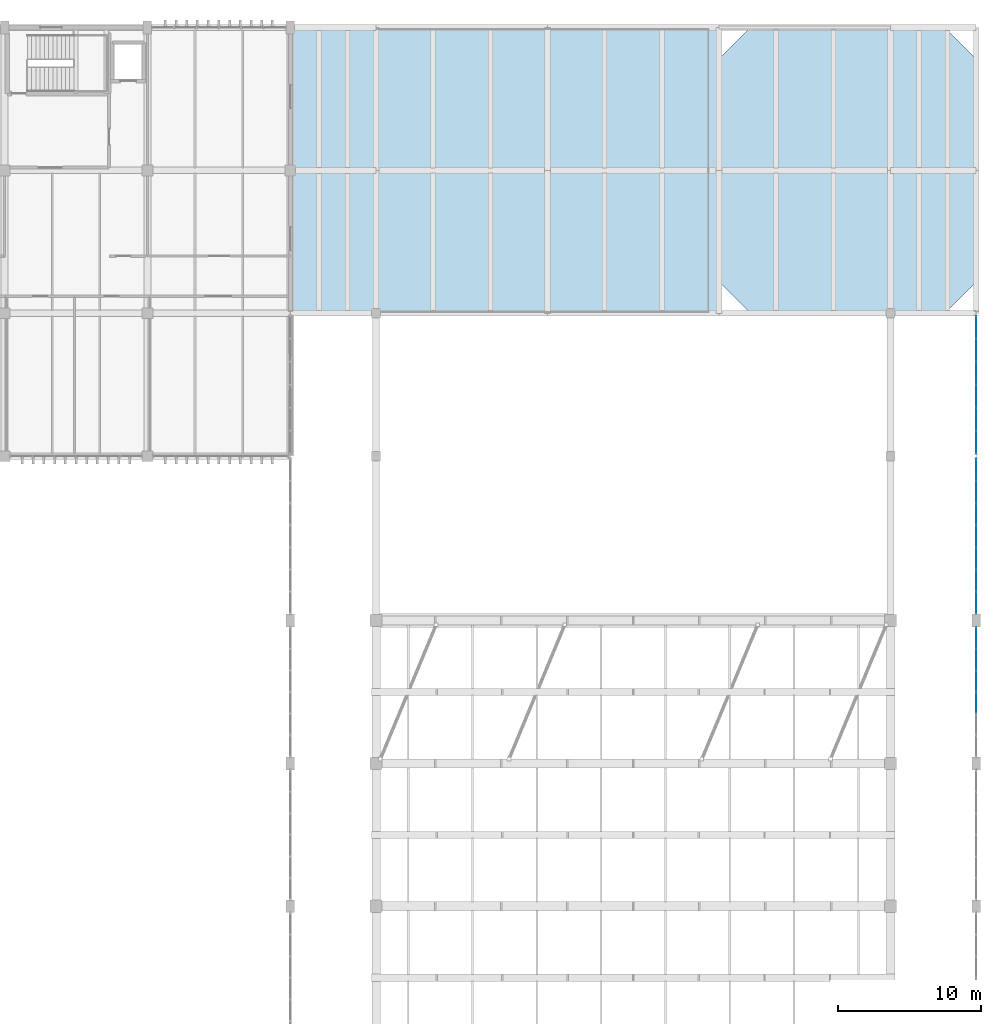
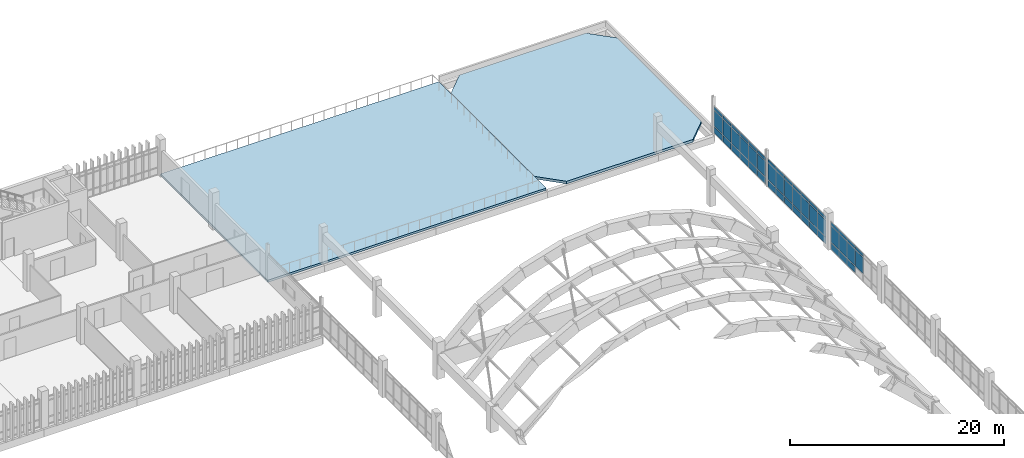
# One storey, part 100 of 111: 50 plates, 2 slabs, 3 elements without a shape of their own.
"""IFC4 building model written with IfcOpenShell, lengths in metres."""

from ifc_helpers import new_model, si_unit, direction, frame, origin, origin_2d, place, context, subcontext, project, spatial, polyline, rectangle, outline, extrude, material, layer, layer_set, type_object, element, aggregate, save


model = new_model("IFC4")

# Units and contexts
model_context = context("Model", 3, precision=1e-05, world=origin(), true_north=direction((0.0, 1.0)))
body_context = subcontext(model_context, "Body", "Model", "MODEL_VIEW")
ifc_project = project(units=[si_unit("LENGTHUNIT", "METRE"), si_unit("AREAUNIT", "SQUARE_METRE"), si_unit("VOLUMEUNIT", "CUBIC_METRE"), si_unit("PLANEANGLEUNIT", "RADIAN"), si_unit("MASSUNIT", "GRAM", prefix="KILO")], contexts=[model_context])

# Site, building, storey
site_placement = place(None, origin())
site = spatial("IfcSite", under=ifc_project, at=site_placement, CompositionType="ELEMENT")
building_placement = place(site_placement, origin())
building = spatial("IfcBuilding", under=site, at=building_placement, Name="Mersad Railyard Sports Hall", CompositionType="ELEMENT")
storey_placement = place(building_placement, frame((0.0, 0.0, 9.0)))
storey = spatial("IfcBuildingStorey", under=building, at=storey_placement, Name="L02", CompositionType="ELEMENT", Elevation=9.0)

# Curtain wall, plates
ifc_material_1 = material(Name="Aluminium 6063-T6", Category="aluminium")
ifc_layer_1 = layer(ifc_material_1, 0.159912109375)
ifc_layer_set_1 = layer_set([ifc_layer_1], Name="Aluminium 6063-T6")
curtain_wall_type_1 = type_object("IfcCurtainWallType", Name="ARC-CW-CW17", PredefinedType="USERDEFINED", material=ifc_layer_set_1)
curtain_wall_1_placement = place(storey_placement, origin())
curtain_wall_1 = element("IfcCurtainWall", 1, at=curtain_wall_1_placement, inside=storey, type_object=curtain_wall_type_1, Name="Curtain wall CW17-0057", ObjectType="CURTAIN WALL", PredefinedType="USERDEFINED")
ifc_material_2 = material(Name="Solar-control glass", Category="glass")
ifc_layer_2 = layer(ifc_material_2, 0.028076171875)
ifc_layer_set_2 = layer_set([ifc_layer_2], Name="Solar-control glass")
plate_type = type_object("IfcPlateType", Name="ARC-CW-PNL01", PredefinedType="CURTAIN_PANEL", material=ifc_layer_set_2)
plate_1_placement = place(storey_placement, frame((179.0, 72.27490234375, 0.0849609375), z_axis=(0.0, 0.0, 1.0), x_axis=(0.0, -1.0, 0.0)))
plate_1 = element("IfcPlate", 2, at=plate_1_placement, type_object=plate_type, Name="CW17 Glazed panel 1-1", PredefinedType="CURTAIN_PANEL", context=body_context, shape_type="SweptSolid", body=[
    extrude(rectangle(XDim=1.466064453125, YDim=0.028076171875, at=origin_2d()), origin(), (0.0, 0.0, 1.0), 0.719970703125),
])
plate_2_placement = place(storey_placement, frame((179.0, 72.27490234375, 0.89501953125), z_axis=(0.0, 0.0, 1.0), x_axis=(0.0, -1.0, 0.0)))
plate_2 = element("IfcPlate", 3, at=plate_2_placement, type_object=plate_type, Name="CW17 Glazed panel 1-2", PredefinedType="CURTAIN_PANEL", context=body_context, shape_type="SweptSolid", body=[
    extrude(rectangle(XDim=1.466064453125, YDim=0.028076171875, at=origin_2d()), origin(), (0.0, 0.0, 1.0), 1.840087890625),
])
plate_3_placement = place(storey_placement, frame((179.0, 72.27490234375, 2.824951171875), z_axis=(0.0, 0.0, 1.0), x_axis=(0.0, -1.0, 0.0)))
plate_3 = element("IfcPlate", 4, at=plate_3_placement, type_object=plate_type, Name="CW17 Glazed panel 1-3", PredefinedType="CURTAIN_PANEL", context=body_context, shape_type="SweptSolid", body=[
    extrude(rectangle(XDim=1.466064453125, YDim=0.028076171875, at=origin_2d()), origin(), (0.0, 0.0, 1.0), 0.35009765625),
])
plate_4_placement = place(storey_placement, frame((179.0, 70.764892578125, 0.0849609375), z_axis=(0.0, 0.0, 1.0), x_axis=(0.0, -1.0, 0.0)))
plate_4 = element("IfcPlate", 5, at=plate_4_placement, type_object=plate_type, Name="CW17 Glazed panel 2-1", PredefinedType="CURTAIN_PANEL", context=body_context, shape_type="SweptSolid", body=[
    extrude(rectangle(XDim=1.466064453125, YDim=0.028076171875, at=origin_2d()), origin(), (0.0, 0.0, 1.0), 0.719970703125),
])
plate_5_placement = place(storey_placement, frame((179.0, 70.764892578125, 0.89501953125), z_axis=(0.0, 0.0, 1.0), x_axis=(0.0, -1.0, 0.0)))
plate_5 = element("IfcPlate", 6, at=plate_5_placement, type_object=plate_type, Name="CW17 Glazed panel 2-2", PredefinedType="CURTAIN_PANEL", context=body_context, shape_type="SweptSolid", body=[
    extrude(rectangle(XDim=1.466064453125, YDim=0.028076171875, at=origin_2d()), origin(), (0.0, 0.0, 1.0), 1.840087890625),
])
plate_6_placement = place(storey_placement, frame((179.0, 70.764892578125, 2.824951171875), z_axis=(0.0, 0.0, 1.0), x_axis=(0.0, -1.0, 0.0)))
plate_6 = element("IfcPlate", 7, at=plate_6_placement, type_object=plate_type, Name="CW17 Glazed panel 2-3", PredefinedType="CURTAIN_PANEL", context=body_context, shape_type="SweptSolid", body=[
    extrude(rectangle(XDim=1.466064453125, YDim=0.028076171875, at=origin_2d()), origin(), (0.0, 0.0, 1.0), 0.35009765625),
])
plate_7_placement = place(storey_placement, frame((179.0, 69.2548828125, 0.0849609375), z_axis=(0.0, 0.0, 1.0), x_axis=(0.0, -1.0, 0.0)))
plate_7 = element("IfcPlate", 8, at=plate_7_placement, type_object=plate_type, Name="CW17 Glazed panel 3-1", PredefinedType="CURTAIN_PANEL", context=body_context, shape_type="SweptSolid", body=[
    extrude(rectangle(XDim=1.466064453125, YDim=0.028076171875, at=origin_2d()), origin(), (0.0, 0.0, 1.0), 0.719970703125),
])
plate_8_placement = place(storey_placement, frame((179.0, 69.2548828125, 0.89501953125), z_axis=(0.0, 0.0, 1.0), x_axis=(0.0, -1.0, 0.0)))
plate_8 = element("IfcPlate", 9, at=plate_8_placement, type_object=plate_type, Name="CW17 Glazed panel 3-2", PredefinedType="CURTAIN_PANEL", context=body_context, shape_type="SweptSolid", body=[
    extrude(rectangle(XDim=1.466064453125, YDim=0.028076171875, at=origin_2d()), origin(), (0.0, 0.0, 1.0), 1.840087890625),
])
plate_9_placement = place(storey_placement, frame((179.0, 69.2548828125, 2.824951171875), z_axis=(0.0, 0.0, 1.0), x_axis=(0.0, -1.0, 0.0)))
plate_9 = element("IfcPlate", 10, at=plate_9_placement, type_object=plate_type, Name="CW17 Glazed panel 3-3", PredefinedType="CURTAIN_PANEL", context=body_context, shape_type="SweptSolid", body=[
    extrude(rectangle(XDim=1.466064453125, YDim=0.028076171875, at=origin_2d()), origin(), (0.0, 0.0, 1.0), 0.35009765625),
])
plate_10_placement = place(storey_placement, frame((179.0, 67.7451171875, 0.89501953125), z_axis=(0.0, 0.0, 1.0), x_axis=(0.0, -1.0, 0.0)))
plate_10 = element("IfcPlate", 11, at=plate_10_placement, type_object=plate_type, Name="CW17 Glazed panel 4-2", PredefinedType="CURTAIN_PANEL", context=body_context, shape_type="SweptSolid", body=[
    extrude(rectangle(XDim=1.466064453125, YDim=0.028076171875, at=origin_2d()), origin(), (0.0, 0.0, 1.0), 1.840087890625),
])
plate_11_placement = place(storey_placement, frame((179.0, 67.7451171875, 2.824951171875), z_axis=(0.0, 0.0, 1.0), x_axis=(0.0, -1.0, 0.0)))
plate_11 = element("IfcPlate", 12, at=plate_11_placement, type_object=plate_type, Name="CW17 Glazed panel 4-3", PredefinedType="CURTAIN_PANEL", context=body_context, shape_type="SweptSolid", body=[
    extrude(rectangle(XDim=1.466064453125, YDim=0.028076171875, at=origin_2d()), origin(), (0.0, 0.0, 1.0), 0.35009765625),
])
aggregate(curtain_wall_1, [plate_1, plate_2, plate_3, plate_4, plate_5, plate_6, plate_7, plate_8, plate_9, plate_10, plate_11])

ifc_layer_3 = layer(ifc_material_1, 0.159912109375)
ifc_layer_set_3 = layer_set([ifc_layer_3], Name="Aluminium 6063-T6")
curtain_wall_type_2 = type_object("IfcCurtainWallType", Name="ARC-CW-CW20", PredefinedType="USERDEFINED", material=ifc_layer_set_3)
curtain_wall_2_placement = place(storey_placement, origin())
curtain_wall_2 = element("IfcCurtainWall", 13, at=curtain_wall_2_placement, inside=storey, type_object=curtain_wall_type_2, Name="Curtain wall CW20-0059", ObjectType="CURTAIN WALL", PredefinedType="USERDEFINED")
plate_12_placement = place(storey_placement, frame((179.0, 84.05419921875, 0.0849609375), z_axis=(0.0, 0.0, 1.0), x_axis=(0.0, -1.0, 0.0)))
plate_12 = element("IfcPlate", 14, at=plate_12_placement, type_object=plate_type, Name="CW20 Glazed panel 1-1", PredefinedType="CURTAIN_PANEL", context=body_context, shape_type="SweptSolid", body=[
    extrude(rectangle(XDim=1.50732421875, YDim=0.028076171875, at=origin_2d()), origin(), (0.0, 0.0, 1.0), 0.719970703125),
])
plate_13_placement = place(storey_placement, frame((179.0, 84.05419921875, 0.89501953125), z_axis=(0.0, 0.0, 1.0), x_axis=(0.0, -1.0, 0.0)))
plate_13 = element("IfcPlate", 15, at=plate_13_placement, type_object=plate_type, Name="CW20 Glazed panel 1-2", PredefinedType="CURTAIN_PANEL", context=body_context, shape_type="SweptSolid", body=[
    extrude(rectangle(XDim=1.50732421875, YDim=0.028076171875, at=origin_2d()), origin(), (0.0, 0.0, 1.0), 1.8798828125),
])
plate_14_placement = place(storey_placement, frame((179.0, 84.05419921875, 2.864990234375), z_axis=(0.0, 0.0, 1.0), x_axis=(0.0, -1.0, 0.0)))
plate_14 = element("IfcPlate", 16, at=plate_14_placement, type_object=plate_type, Name="CW20 Glazed panel 1-3", PredefinedType="CURTAIN_PANEL", context=body_context, shape_type="SweptSolid", body=[
    extrude(rectangle(XDim=1.50732421875, YDim=0.028076171875, at=origin_2d()), origin(), (0.0, 0.0, 1.0), 0.35009765625),
])
plate_15_placement = place(storey_placement, frame((179.0, 82.5029296875, 0.0849609375), z_axis=(0.0, 0.0, 1.0), x_axis=(0.0, -1.0, 0.0)))
plate_15 = element("IfcPlate", 17, at=plate_15_placement, type_object=plate_type, Name="CW20 Glazed panel 2-1", PredefinedType="CURTAIN_PANEL", context=body_context, shape_type="SweptSolid", body=[
    extrude(rectangle(XDim=1.50732421875, YDim=0.028076171875, at=origin_2d()), origin(), (0.0, 0.0, 1.0), 0.719970703125),
])
plate_16_placement = place(storey_placement, frame((179.0, 82.5029296875, 0.89501953125), z_axis=(0.0, 0.0, 1.0), x_axis=(0.0, -1.0, 0.0)))
plate_16 = element("IfcPlate", 18, at=plate_16_placement, type_object=plate_type, Name="CW20 Glazed panel 2-2", PredefinedType="CURTAIN_PANEL", context=body_context, shape_type="SweptSolid", body=[
    extrude(rectangle(XDim=1.50732421875, YDim=0.028076171875, at=origin_2d()), origin(), (0.0, 0.0, 1.0), 1.8798828125),
])
plate_17_placement = place(storey_placement, frame((179.0, 82.5029296875, 2.864990234375), z_axis=(0.0, 0.0, 1.0), x_axis=(0.0, -1.0, 0.0)))
plate_17 = element("IfcPlate", 19, at=plate_17_placement, type_object=plate_type, Name="CW20 Glazed panel 2-3", PredefinedType="CURTAIN_PANEL", context=body_context, shape_type="SweptSolid", body=[
    extrude(rectangle(XDim=1.50732421875, YDim=0.028076171875, at=origin_2d()), origin(), (0.0, 0.0, 1.0), 0.35009765625),
])
plate_18_placement = place(storey_placement, frame((179.0, 80.951416015625, 0.0849609375), z_axis=(0.0, 0.0, 1.0), x_axis=(0.0, -1.0, 0.0)))
plate_18 = element("IfcPlate", 20, at=plate_18_placement, type_object=plate_type, Name="CW20 Glazed panel 3-1", PredefinedType="CURTAIN_PANEL", context=body_context, shape_type="SweptSolid", body=[
    extrude(rectangle(XDim=1.50732421875, YDim=0.028076171875, at=origin_2d()), origin(), (0.0, 0.0, 1.0), 0.719970703125),
])
plate_19_placement = place(storey_placement, frame((179.0, 80.951416015625, 0.89501953125), z_axis=(0.0, 0.0, 1.0), x_axis=(0.0, -1.0, 0.0)))
plate_19 = element("IfcPlate", 21, at=plate_19_placement, type_object=plate_type, Name="CW20 Glazed panel 3-2", PredefinedType="CURTAIN_PANEL", context=body_context, shape_type="SweptSolid", body=[
    extrude(rectangle(XDim=1.50732421875, YDim=0.028076171875, at=origin_2d()), origin(), (0.0, 0.0, 1.0), 1.8798828125),
])
plate_20_placement = place(storey_placement, frame((179.0, 80.951416015625, 2.864990234375), z_axis=(0.0, 0.0, 1.0), x_axis=(0.0, -1.0, 0.0)))
plate_20 = element("IfcPlate", 22, at=plate_20_placement, type_object=plate_type, Name="CW20 Glazed panel 3-3", PredefinedType="CURTAIN_PANEL", context=body_context, shape_type="SweptSolid", body=[
    extrude(rectangle(XDim=1.50732421875, YDim=0.028076171875, at=origin_2d()), origin(), (0.0, 0.0, 1.0), 0.35009765625),
])
plate_21_placement = place(storey_placement, frame((179.0, 79.39990234375, 0.0849609375), z_axis=(0.0, 0.0, 1.0), x_axis=(0.0, -1.0, 0.0)))
plate_21 = element("IfcPlate", 23, at=plate_21_placement, type_object=plate_type, Name="CW20 Glazed panel 4-1", PredefinedType="CURTAIN_PANEL", context=body_context, shape_type="SweptSolid", body=[
    extrude(rectangle(XDim=1.50732421875, YDim=0.028076171875, at=origin_2d()), origin(), (0.0, 0.0, 1.0), 0.719970703125),
])
plate_22_placement = place(storey_placement, frame((179.0, 79.39990234375, 0.89501953125), z_axis=(0.0, 0.0, 1.0), x_axis=(0.0, -1.0, 0.0)))
plate_22 = element("IfcPlate", 24, at=plate_22_placement, type_object=plate_type, Name="CW20 Glazed panel 4-2", PredefinedType="CURTAIN_PANEL", context=body_context, shape_type="SweptSolid", body=[
    extrude(rectangle(XDim=1.50732421875, YDim=0.028076171875, at=origin_2d()), origin(), (0.0, 0.0, 1.0), 1.8798828125),
])
plate_23_placement = place(storey_placement, frame((179.0, 79.39990234375, 2.864990234375), z_axis=(0.0, 0.0, 1.0), x_axis=(0.0, -1.0, 0.0)))
plate_23 = element("IfcPlate", 25, at=plate_23_placement, type_object=plate_type, Name="CW20 Glazed panel 4-3", PredefinedType="CURTAIN_PANEL", context=body_context, shape_type="SweptSolid", body=[
    extrude(rectangle(XDim=1.50732421875, YDim=0.028076171875, at=origin_2d()), origin(), (0.0, 0.0, 1.0), 0.35009765625),
])
plate_24_placement = place(storey_placement, frame((179.0, 77.8486328125, 0.0849609375), z_axis=(0.0, 0.0, 1.0), x_axis=(0.0, -1.0, 0.0)))
plate_24 = element("IfcPlate", 26, at=plate_24_placement, type_object=plate_type, Name="CW20 Glazed panel 5-1", PredefinedType="CURTAIN_PANEL", context=body_context, shape_type="SweptSolid", body=[
    extrude(rectangle(XDim=1.50732421875, YDim=0.028076171875, at=origin_2d()), origin(), (0.0, 0.0, 1.0), 0.719970703125),
])
plate_25_placement = place(storey_placement, frame((179.0, 77.8486328125, 0.89501953125), z_axis=(0.0, 0.0, 1.0), x_axis=(0.0, -1.0, 0.0)))
plate_25 = element("IfcPlate", 27, at=plate_25_placement, type_object=plate_type, Name="CW20 Glazed panel 5-2", PredefinedType="CURTAIN_PANEL", context=body_context, shape_type="SweptSolid", body=[
    extrude(rectangle(XDim=1.50732421875, YDim=0.028076171875, at=origin_2d()), origin(), (0.0, 0.0, 1.0), 1.8798828125),
])
plate_26_placement = place(storey_placement, frame((179.0, 77.8486328125, 2.864990234375), z_axis=(0.0, 0.0, 1.0), x_axis=(0.0, -1.0, 0.0)))
plate_26 = element("IfcPlate", 28, at=plate_26_placement, type_object=plate_type, Name="CW20 Glazed panel 5-3", PredefinedType="CURTAIN_PANEL", context=body_context, shape_type="SweptSolid", body=[
    extrude(rectangle(XDim=1.50732421875, YDim=0.028076171875, at=origin_2d()), origin(), (0.0, 0.0, 1.0), 0.35009765625),
])
plate_27_placement = place(storey_placement, frame((179.0, 76.297119140625, 0.0849609375), z_axis=(0.0, 0.0, 1.0), x_axis=(0.0, -1.0, 0.0)))
plate_27 = element("IfcPlate", 29, at=plate_27_placement, type_object=plate_type, Name="CW20 Glazed panel 6-1", PredefinedType="CURTAIN_PANEL", context=body_context, shape_type="SweptSolid", body=[
    extrude(rectangle(XDim=1.50732421875, YDim=0.028076171875, at=origin_2d()), origin(), (0.0, 0.0, 1.0), 0.719970703125),
])
plate_28_placement = place(storey_placement, frame((179.0, 76.297119140625, 0.89501953125), z_axis=(0.0, 0.0, 1.0), x_axis=(0.0, -1.0, 0.0)))
plate_28 = element("IfcPlate", 30, at=plate_28_placement, type_object=plate_type, Name="CW20 Glazed panel 6-2", PredefinedType="CURTAIN_PANEL", context=body_context, shape_type="SweptSolid", body=[
    extrude(rectangle(XDim=1.50732421875, YDim=0.028076171875, at=origin_2d()), origin(), (0.0, 0.0, 1.0), 1.8798828125),
])
plate_29_placement = place(storey_placement, frame((179.0, 76.297119140625, 2.864990234375), z_axis=(0.0, 0.0, 1.0), x_axis=(0.0, -1.0, 0.0)))
plate_29 = element("IfcPlate", 31, at=plate_29_placement, type_object=plate_type, Name="CW20 Glazed panel 6-3", PredefinedType="CURTAIN_PANEL", context=body_context, shape_type="SweptSolid", body=[
    extrude(rectangle(XDim=1.50732421875, YDim=0.028076171875, at=origin_2d()), origin(), (0.0, 0.0, 1.0), 0.35009765625),
])
plate_30_placement = place(storey_placement, frame((179.0, 74.74560546875, 0.0849609375), z_axis=(0.0, 0.0, 1.0), x_axis=(0.0, -1.0, 0.0)))
plate_30 = element("IfcPlate", 32, at=plate_30_placement, type_object=plate_type, Name="CW20 Glazed panel 7-1", PredefinedType="CURTAIN_PANEL", context=body_context, shape_type="SweptSolid", body=[
    extrude(rectangle(XDim=1.50732421875, YDim=0.028076171875, at=origin_2d()), origin(), (0.0, 0.0, 1.0), 0.719970703125),
])
plate_31_placement = place(storey_placement, frame((179.0, 74.74560546875, 0.89501953125), z_axis=(0.0, 0.0, 1.0), x_axis=(0.0, -1.0, 0.0)))
plate_31 = element("IfcPlate", 33, at=plate_31_placement, type_object=plate_type, Name="CW20 Glazed panel 7-2", PredefinedType="CURTAIN_PANEL", context=body_context, shape_type="SweptSolid", body=[
    extrude(rectangle(XDim=1.50732421875, YDim=0.028076171875, at=origin_2d()), origin(), (0.0, 0.0, 1.0), 1.8798828125),
])
plate_32_placement = place(storey_placement, frame((179.0, 74.74560546875, 2.864990234375), z_axis=(0.0, 0.0, 1.0), x_axis=(0.0, -1.0, 0.0)))
plate_32 = element("IfcPlate", 34, at=plate_32_placement, type_object=plate_type, Name="CW20 Glazed panel 7-3", PredefinedType="CURTAIN_PANEL", context=body_context, shape_type="SweptSolid", body=[
    extrude(rectangle(XDim=1.50732421875, YDim=0.028076171875, at=origin_2d()), origin(), (0.0, 0.0, 1.0), 0.35009765625),
])
aggregate(curtain_wall_2, [plate_12, plate_13, plate_14, plate_15, plate_16, plate_17, plate_18, plate_19, plate_20, plate_21, plate_22, plate_23, plate_24, plate_25, plate_26, plate_27, plate_28, plate_29, plate_30, plate_31, plate_32])

ifc_layer_4 = layer(ifc_material_1, 0.159912109375)
ifc_layer_set_4 = layer_set([ifc_layer_4], Name="Aluminium 6063-T6")
curtain_wall_type_3 = type_object("IfcCurtainWallType", Name="ARC-CW-CW23", PredefinedType="USERDEFINED", material=ifc_layer_set_4)
curtain_wall_3_placement = place(storey_placement, origin())
curtain_wall_3 = element("IfcCurtainWall", 35, at=curtain_wall_3_placement, inside=storey, type_object=curtain_wall_type_3, Name="Curtain wall CW23-0062", ObjectType="CURTAIN WALL", PredefinedType="USERDEFINED")
plate_33_placement = place(storey_placement, frame((179.0, 94.02490234375, 0.0849609375), z_axis=(0.0, 0.0, 1.0), x_axis=(0.0, -1.0, 0.0)))
plate_33 = element("IfcPlate", 36, at=plate_33_placement, type_object=plate_type, Name="CW23 Glazed panel 1-1", PredefinedType="CURTAIN_PANEL", context=body_context, shape_type="SweptSolid", body=[
    extrude(rectangle(XDim=1.56591796875, YDim=0.028076171875, at=origin_2d()), origin(), (0.0, 0.0, 1.0), 0.719970703125),
])
plate_34_placement = place(storey_placement, frame((179.0, 94.02490234375, 0.89501953125), z_axis=(0.0, 0.0, 1.0), x_axis=(0.0, -1.0, 0.0)))
plate_34 = element("IfcPlate", 37, at=plate_34_placement, type_object=plate_type, Name="CW23 Glazed panel 1-2", PredefinedType="CURTAIN_PANEL", context=body_context, shape_type="SweptSolid", body=[
    extrude(rectangle(XDim=1.56591796875, YDim=0.028076171875, at=origin_2d()), origin(), (0.0, 0.0, 1.0), 1.760009765625),
])
plate_35_placement = place(storey_placement, frame((179.0, 94.02490234375, 2.744873046875), z_axis=(0.0, 0.0, 1.0), x_axis=(0.0, -1.0, 0.0)))
plate_35 = element("IfcPlate", 38, at=plate_35_placement, type_object=plate_type, Name="CW23 Glazed panel 1-3", PredefinedType="CURTAIN_PANEL", context=body_context, shape_type="SweptSolid", body=[
    extrude(rectangle(XDim=1.56591796875, YDim=0.028076171875, at=origin_2d()), origin(), (0.0, 0.0, 1.0), 0.35009765625),
])
plate_36_placement = place(storey_placement, frame((179.0, 92.4150390625, 0.0849609375), z_axis=(0.0, 0.0, 1.0), x_axis=(0.0, -1.0, 0.0)))
plate_36 = element("IfcPlate", 39, at=plate_36_placement, type_object=plate_type, Name="CW23 Glazed panel 2-1", PredefinedType="CURTAIN_PANEL", context=body_context, shape_type="SweptSolid", body=[
    extrude(rectangle(XDim=1.56591796875, YDim=0.028076171875, at=origin_2d()), origin(), (0.0, 0.0, 1.0), 0.719970703125),
])
plate_37_placement = place(storey_placement, frame((179.0, 92.4150390625, 0.89501953125), z_axis=(0.0, 0.0, 1.0), x_axis=(0.0, -1.0, 0.0)))
plate_37 = element("IfcPlate", 40, at=plate_37_placement, type_object=plate_type, Name="CW23 Glazed panel 2-2", PredefinedType="CURTAIN_PANEL", context=body_context, shape_type="SweptSolid", body=[
    extrude(rectangle(XDim=1.56591796875, YDim=0.028076171875, at=origin_2d()), origin(), (0.0, 0.0, 1.0), 1.760009765625),
])
plate_38_placement = place(storey_placement, frame((179.0, 92.4150390625, 2.744873046875), z_axis=(0.0, 0.0, 1.0), x_axis=(0.0, -1.0, 0.0)))
plate_38 = element("IfcPlate", 41, at=plate_38_placement, type_object=plate_type, Name="CW23 Glazed panel 2-3", PredefinedType="CURTAIN_PANEL", context=body_context, shape_type="SweptSolid", body=[
    extrude(rectangle(XDim=1.56591796875, YDim=0.028076171875, at=origin_2d()), origin(), (0.0, 0.0, 1.0), 0.35009765625),
])
plate_39_placement = place(storey_placement, frame((179.0, 90.804931640625, 0.0849609375), z_axis=(0.0, 0.0, 1.0), x_axis=(0.0, -1.0, 0.0)))
plate_39 = element("IfcPlate", 42, at=plate_39_placement, type_object=plate_type, Name="CW23 Glazed panel 3-1", PredefinedType="CURTAIN_PANEL", context=body_context, shape_type="SweptSolid", body=[
    extrude(rectangle(XDim=1.56591796875, YDim=0.028076171875, at=origin_2d()), origin(), (0.0, 0.0, 1.0), 0.719970703125),
])
plate_40_placement = place(storey_placement, frame((179.0, 90.804931640625, 0.89501953125), z_axis=(0.0, 0.0, 1.0), x_axis=(0.0, -1.0, 0.0)))
plate_40 = element("IfcPlate", 43, at=plate_40_placement, type_object=plate_type, Name="CW23 Glazed panel 3-2", PredefinedType="CURTAIN_PANEL", context=body_context, shape_type="SweptSolid", body=[
    extrude(rectangle(XDim=1.56591796875, YDim=0.028076171875, at=origin_2d()), origin(), (0.0, 0.0, 1.0), 1.760009765625),
])
plate_41_placement = place(storey_placement, frame((179.0, 90.804931640625, 2.744873046875), z_axis=(0.0, 0.0, 1.0), x_axis=(0.0, -1.0, 0.0)))
plate_41 = element("IfcPlate", 44, at=plate_41_placement, type_object=plate_type, Name="CW23 Glazed panel 3-3", PredefinedType="CURTAIN_PANEL", context=body_context, shape_type="SweptSolid", body=[
    extrude(rectangle(XDim=1.56591796875, YDim=0.028076171875, at=origin_2d()), origin(), (0.0, 0.0, 1.0), 0.35009765625),
])
plate_42_placement = place(storey_placement, frame((179.0, 89.195068359375, 0.0849609375), z_axis=(0.0, 0.0, 1.0), x_axis=(0.0, -1.0, 0.0)))
plate_42 = element("IfcPlate", 45, at=plate_42_placement, type_object=plate_type, Name="CW23 Glazed panel 4-1", PredefinedType="CURTAIN_PANEL", context=body_context, shape_type="SweptSolid", body=[
    extrude(rectangle(XDim=1.56591796875, YDim=0.028076171875, at=origin_2d()), origin(), (0.0, 0.0, 1.0), 0.719970703125),
])
plate_43_placement = place(storey_placement, frame((179.0, 89.195068359375, 0.89501953125), z_axis=(0.0, 0.0, 1.0), x_axis=(0.0, -1.0, 0.0)))
plate_43 = element("IfcPlate", 46, at=plate_43_placement, type_object=plate_type, Name="CW23 Glazed panel 4-2", PredefinedType="CURTAIN_PANEL", context=body_context, shape_type="SweptSolid", body=[
    extrude(rectangle(XDim=1.56591796875, YDim=0.028076171875, at=origin_2d()), origin(), (0.0, 0.0, 1.0), 1.760009765625),
])
plate_44_placement = place(storey_placement, frame((179.0, 89.195068359375, 2.744873046875), z_axis=(0.0, 0.0, 1.0), x_axis=(0.0, -1.0, 0.0)))
plate_44 = element("IfcPlate", 47, at=plate_44_placement, type_object=plate_type, Name="CW23 Glazed panel 4-3", PredefinedType="CURTAIN_PANEL", context=body_context, shape_type="SweptSolid", body=[
    extrude(rectangle(XDim=1.56591796875, YDim=0.028076171875, at=origin_2d()), origin(), (0.0, 0.0, 1.0), 0.35009765625),
])
plate_45_placement = place(storey_placement, frame((179.0, 87.5849609375, 0.0849609375), z_axis=(0.0, 0.0, 1.0), x_axis=(0.0, -1.0, 0.0)))
plate_45 = element("IfcPlate", 48, at=plate_45_placement, type_object=plate_type, Name="CW23 Glazed panel 5-1", PredefinedType="CURTAIN_PANEL", context=body_context, shape_type="SweptSolid", body=[
    extrude(rectangle(XDim=1.56591796875, YDim=0.028076171875, at=origin_2d()), origin(), (0.0, 0.0, 1.0), 0.719970703125),
])
plate_46_placement = place(storey_placement, frame((179.0, 87.5849609375, 0.89501953125), z_axis=(0.0, 0.0, 1.0), x_axis=(0.0, -1.0, 0.0)))
plate_46 = element("IfcPlate", 49, at=plate_46_placement, type_object=plate_type, Name="CW23 Glazed panel 5-2", PredefinedType="CURTAIN_PANEL", context=body_context, shape_type="SweptSolid", body=[
    extrude(rectangle(XDim=1.56591796875, YDim=0.028076171875, at=origin_2d()), origin(), (0.0, 0.0, 1.0), 1.760009765625),
])
plate_47_placement = place(storey_placement, frame((179.0, 87.5849609375, 2.744873046875), z_axis=(0.0, 0.0, 1.0), x_axis=(0.0, -1.0, 0.0)))
plate_47 = element("IfcPlate", 50, at=plate_47_placement, type_object=plate_type, Name="CW23 Glazed panel 5-3", PredefinedType="CURTAIN_PANEL", context=body_context, shape_type="SweptSolid", body=[
    extrude(rectangle(XDim=1.56591796875, YDim=0.028076171875, at=origin_2d()), origin(), (0.0, 0.0, 1.0), 0.35009765625),
])
plate_48_placement = place(storey_placement, frame((179.0, 85.97509765625, 0.0849609375), z_axis=(0.0, 0.0, 1.0), x_axis=(0.0, -1.0, 0.0)))
plate_48 = element("IfcPlate", 51, at=plate_48_placement, type_object=plate_type, Name="CW23 Glazed panel 6-1", PredefinedType="CURTAIN_PANEL", context=body_context, shape_type="SweptSolid", body=[
    extrude(rectangle(XDim=1.56591796875, YDim=0.028076171875, at=origin_2d()), origin(), (0.0, 0.0, 1.0), 0.719970703125),
])
plate_49_placement = place(storey_placement, frame((179.0, 85.97509765625, 0.89501953125), z_axis=(0.0, 0.0, 1.0), x_axis=(0.0, -1.0, 0.0)))
plate_49 = element("IfcPlate", 52, at=plate_49_placement, type_object=plate_type, Name="CW23 Glazed panel 6-2", PredefinedType="CURTAIN_PANEL", context=body_context, shape_type="SweptSolid", body=[
    extrude(rectangle(XDim=1.56591796875, YDim=0.028076171875, at=origin_2d()), origin(), (0.0, 0.0, 1.0), 1.760009765625),
])
plate_50_placement = place(storey_placement, frame((179.0, 85.97509765625, 2.744873046875), z_axis=(0.0, 0.0, 1.0), x_axis=(0.0, -1.0, 0.0)))
plate_50 = element("IfcPlate", 53, at=plate_50_placement, type_object=plate_type, Name="CW23 Glazed panel 6-3", PredefinedType="CURTAIN_PANEL", context=body_context, shape_type="SweptSolid", body=[
    extrude(rectangle(XDim=1.56591796875, YDim=0.028076171875, at=origin_2d()), origin(), (0.0, 0.0, 1.0), 0.35009765625),
])
aggregate(curtain_wall_3, [plate_33, plate_34, plate_35, plate_36, plate_37, plate_38, plate_39, plate_40, plate_41, plate_42, plate_43, plate_44, plate_45, plate_46, plate_47, plate_48, plate_49, plate_50])

# Slabs
ifc_material_3 = material(Name="Architectural concrete C40/50", Category="concrete")
ifc_layer_5 = layer(ifc_material_3, 0.2900390625)
ifc_layer_set_5 = layer_set([ifc_layer_5], Name="Architectural concrete C40/50")
slab_type_1 = type_object("IfcSlabType", Name="STR-SL-RF03", PredefinedType="ROOF", material=ifc_layer_set_5)
slab_1_placement = place(storey_placement, frame((0.0, 0.0, -0.2900390625)))
element("IfcSlab", 54, at=slab_1_placement, inside=storey, type_object=slab_type_1, Name="Slab RS03-0094", PredefinedType="ROOF", context=body_context, shape_type="SweptSolid", body=[
    extrude(outline(polyline([(163.199951171875, 95.0), (176.800048828125, 95.0), (179.0, 97.199951171875), (179.0, 112.800048828125), (176.800048828125, 115.0), (163.199951171875, 115.0), (161.0, 112.800048828125), (161.0, 97.199951171875), (163.199951171875, 95.0)])), origin(), (0.0, 0.0, 1.0), 0.2900390625),
])
ifc_material_4 = material(Name="Concrete C40/50", Category="concrete")
ifc_layer_6 = layer(ifc_material_4, 0.239990234375)
ifc_layer_set_6 = layer_set([ifc_layer_6], Name="Concrete C40/50")
slab_type_2 = type_object("IfcSlabType", Name="STR-SL-TR01", PredefinedType="FLOOR", material=ifc_layer_set_6)
slab_2_placement = place(storey_placement, frame((0.0, 0.0, -0.239990234375)))
element("IfcSlab", 55, at=slab_2_placement, inside=storey, type_object=slab_type_2, Name="Slab TR01-0093", PredefinedType="FLOOR", context=body_context, shape_type="SweptSolid", body=[
    extrude(outline(polyline([(131.0, 95.0), (161.0, 95.0), (161.0, 115.0), (131.0, 115.0), (131.0, 95.0)])), origin(), (0.0, 0.0, 1.0), 0.239990234375),
])

save(model, "model.ifc")
